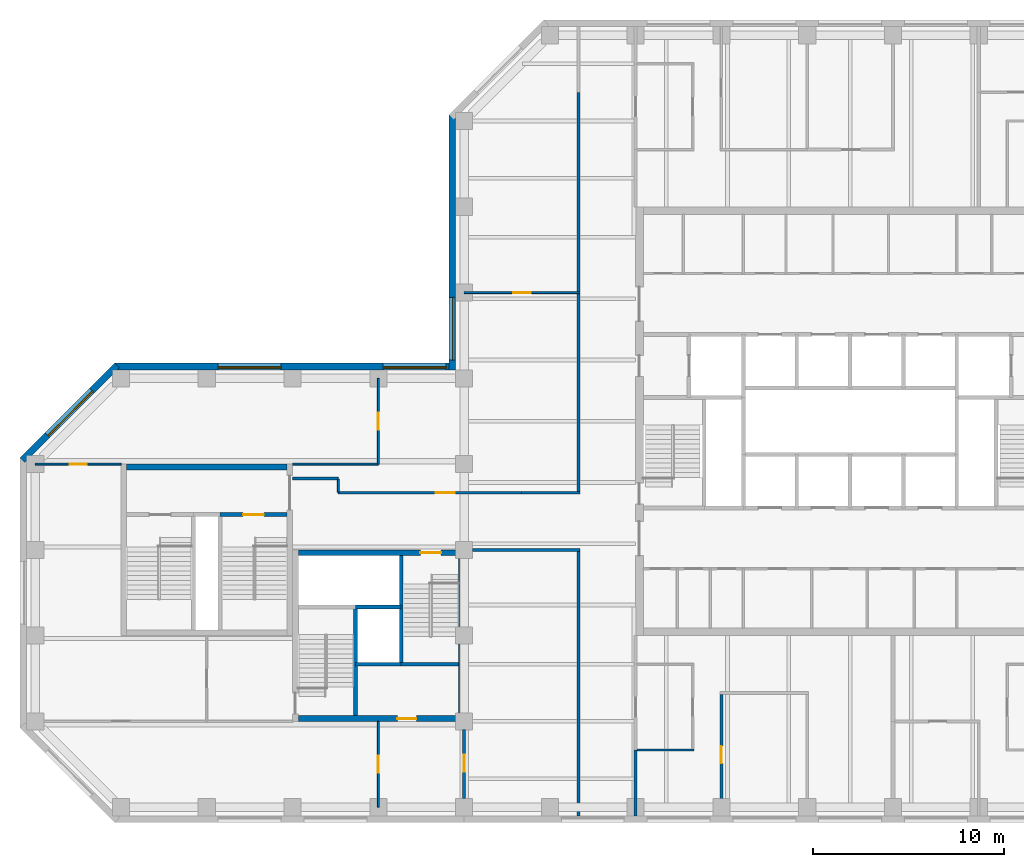
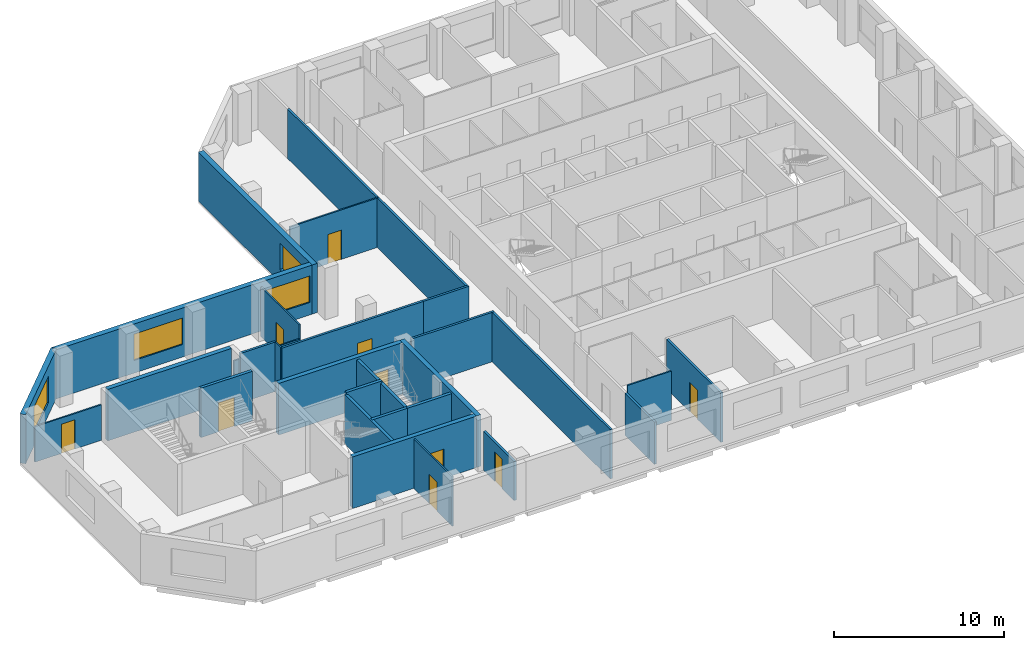
# One storey, part 3 of 9: 29 walls, 10 doors, 4 windows, 14 openings.
"""IFC4 building model written with IfcOpenShell, lengths in metres."""

from ifc_helpers import new_model, si_unit, direction, frame, frame_2d, origin, place, context, subcontext, project, spatial, rectangle, extrude, material, layer, layer_set, constituent, constituent_set, type_object, element, fill, save


model = new_model("IFC4")

# Units and contexts
model_context = context("Model", 3, precision=1e-05, world=origin(), true_north=direction((0.0, 1.0)))
body_context = subcontext(model_context, "Body", "Model", "MODEL_VIEW")
ifc_project = project(units=[si_unit("LENGTHUNIT", "METRE"), si_unit("AREAUNIT", "SQUARE_METRE"), si_unit("VOLUMEUNIT", "CUBIC_METRE"), si_unit("PLANEANGLEUNIT", "RADIAN"), si_unit("MASSUNIT", "GRAM", prefix="KILO")], contexts=[model_context])

# Site, building, storey
site_placement = place(None, origin())
site = spatial("IfcSite", under=ifc_project, at=site_placement, CompositionType="ELEMENT")
building_placement = place(site_placement, origin())
building = spatial("IfcBuilding", under=site, at=building_placement, Name="Quoin Convention Tower", CompositionType="ELEMENT")
storey_placement = place(building_placement, frame((0.0, 0.0, 166.199951171875)))
storey = spatial("IfcBuildingStorey", under=building, at=storey_placement, Name="L43", CompositionType="ELEMENT", Elevation=166.199951171875)

# Wall, opening, door
ifc_material_1 = material(Name="Plasterboard")
ifc_layer_1 = layer(ifc_material_1, 0.012451171875, Name="Finish")
ifc_material_2 = material(Name="Steel stud framing", Category="steel")
ifc_layer_2 = layer(ifc_material_2, 0.125, Name="Structure")
ifc_layer_3 = layer(ifc_material_1, 0.012451171875, Name="Finish")
ifc_layer_set_1 = layer_set([ifc_layer_1, ifc_layer_2, ifc_layer_3], Name="Steel stud framing")
wall_type_1 = type_object("IfcWallType", Name="Acoustic partition 150", PredefinedType="PARTITIONING", material=ifc_layer_set_1)
wall_1_placement = place(storey_placement, frame((49.5, 40.050048828125, 0.0), z_axis=(0.0, 0.0, 1.0), x_axis=(0.0, 1.0, 0.0)))
wall_1 = element("IfcWall", 1, at=wall_1_placement, inside=storey, type_object=wall_type_1, Name="pw-L43-039", PredefinedType="PARTITIONING", context=body_context, shape_type="SweptSolid", body=[
    extrude(rectangle(XDim=6.375, YDim=0.14990234375, at=frame_2d((3.1875, 0.0))), origin(), (0.0, 0.0, 1.0), 3.550048828125),
])
opening_1_placement = place(wall_1_placement, frame((2.75, 0.0, 0.0)))
opening_1 = element("IfcOpeningElement", 2, at=opening_1_placement, cuts=wall_1, Name="Opening DOH3-08", PredefinedType="OPENING", context=body_context, shape_type="SweptSolid", body=[
    extrude(rectangle(XDim=0.89990234375, YDim=2.10009765625, at=frame_2d((0.449951171875, 1.050048828125))), frame((0.0, 0.0849609375, 0.0), z_axis=(0.0, -1.0, 0.0), x_axis=(1.0, 0.0, 0.0)), (0.0, 0.0, 1.0), 0.169921875),
])
ifc_material_3 = material(Name="Steel door leaf", Category="steel")
door_type_1 = type_object("IfcDoorType", Name="Office door 900 x 2100", OperationType="SINGLE_SWING_RIGHT", PredefinedType="DOOR", material=ifc_material_3)
door_1_placement = place(opening_1_placement, origin())
door_1 = element("IfcDoor", 3, at=door_1_placement, inside=storey, type_object=door_type_1, Name="dr-L43-10", OperationType="SINGLE_SWING_RIGHT", OverallHeight=2.10009765625, OverallWidth=0.89990234375, PredefinedType="DOOR", context=body_context, shape_type="SweptSolid", body=[
    extrude(rectangle(XDim=0.89990234375, YDim=2.10009765625, at=frame_2d((0.449951171875, 1.050048828125))), frame((0.0, 0.02490234375, 0.0), z_axis=(0.0, -1.0, 0.0), x_axis=(1.0, 0.0, 0.0)), (0.0, 0.0, 1.0), 0.050048828125),
])
fill(opening_1, door_1)

# Wall, opening, window
ifc_material_4 = material(Name="Brick masonry", Category="masonry")
ifc_layer_4 = layer(ifc_material_4, 0.35009765625)
ifc_layer_set_2 = layer_set([ifc_layer_4], Name="Brick masonry")
wall_type_2 = type_object("IfcWallType", Name="Brick facade wall", PredefinedType="STANDARD", material=ifc_layer_set_2)
wall_2_placement = place(storey_placement, frame((35.375, 76.831298828125, 0.0), z_axis=(0.0, 0.0, 1.0), x_axis=(0.0, -1.0, 0.0)))
wall_2 = element("IfcWall", 4, at=wall_2_placement, inside=storey, type_object=wall_type_2, Name="fw-L43-36000_76500", PredefinedType="STANDARD", context=body_context, shape_type="SweptSolid", body=[
    extrude(rectangle(XDim=13.38134765625, YDim=0.35009765625, at=frame_2d((6.690673828125, 0.0))), origin(), (0.0, 0.0, 1.0), 3.525146484375),
])
opening_2_placement = place(wall_2_placement, frame((9.581298828125, 0.0, 0.89990234375)))
opening_2 = element("IfcOpeningElement", 5, at=opening_2_placement, cuts=wall_2, Name="Opening W-02", PredefinedType="OPENING", context=body_context, shape_type="SweptSolid", body=[
    extrude(rectangle(XDim=3.300048828125, YDim=1.89990234375, at=frame_2d((1.64990234375, 0.949951171875))), frame((0.0, 0.18505859375, 0.0), z_axis=(0.0, -1.0, 0.0), x_axis=(1.0, 0.0, 0.0)), (0.0, 0.0, 1.0), 0.3701171875),
])
ifc_material_5 = material(Name="Aluminium", Category="aluminium")
ifc_constituent_1 = constituent(ifc_material_5, Name="Frame")
ifc_material_6 = material(Name="Insulated glass", Category="glass")
ifc_constituent_2 = constituent(ifc_material_6, Name="Glazing")
ifc_constituent_set = constituent_set(constituents=[ifc_constituent_1, ifc_constituent_2], Name="Aluminium")
window_type = type_object("IfcWindowType", Name="Office window", PartitioningType="DOUBLE_PANEL_VERTICAL", PredefinedType="WINDOW", material=ifc_constituent_set)
window_1_placement = place(opening_2_placement, origin())
window_1 = element("IfcWindow", 6, at=window_1_placement, inside=storey, type_object=window_type, Name="win-L43-35375_65250", OverallHeight=1.89990234375, OverallWidth=3.300048828125, PartitioningType="SINGLE_PANEL", PredefinedType="WINDOW", context=body_context, shape_type="SweptSolid", body=[
    extrude(rectangle(XDim=3.300048828125, YDim=1.89990234375, at=frame_2d((1.64990234375, 0.949951171875))), frame((0.0, 0.0849609375, 0.0), z_axis=(0.0, -1.0, 0.0), x_axis=(1.0, 0.0, 0.0)), (0.0, 0.0, 1.0), 0.06005859375),
])
fill(opening_2, window_1)

# Wall, openings, windows
wall_3_placement = place(storey_placement, frame((35.550048828125, 63.625, 0.0), z_axis=(0.0, 0.0, 1.0), x_axis=(-1.0, 0.0, 0.0)))
wall_3 = element("IfcWall", 7, at=wall_3_placement, inside=storey, type_object=wall_type_2, Name="fw-L43-36000_63000", PredefinedType="STANDARD", context=body_context, shape_type="SweptSolid", body=[
    extrude(rectangle(XDim=17.88134765625, YDim=0.35009765625, at=frame_2d((8.940673828125, 0.0))), origin(), (0.0, 0.0, 1.0), 3.525146484375),
])
opening_3_placement = place(wall_3_placement, frame((0.5, 0.0, 0.89990234375)))
opening_3 = element("IfcOpeningElement", 8, at=opening_3_placement, cuts=wall_3, Name="Opening W-02", PredefinedType="OPENING", context=body_context, shape_type="SweptSolid", body=[
    extrude(rectangle(XDim=3.300048828125, YDim=1.89990234375, at=frame_2d((1.64990234375, 0.949951171875))), frame((0.0, 0.18505859375, 0.0), z_axis=(0.0, -1.0, 0.0), x_axis=(1.0, 0.0, 0.0)), (0.0, 0.0, 1.0), 0.3701171875),
])
opening_4_placement = place(wall_3_placement, frame((9.14990234375, 0.0, 0.89990234375)))
opening_4 = element("IfcOpeningElement", 9, at=opening_4_placement, cuts=wall_3, Name="Opening W-02", PredefinedType="OPENING", context=body_context, shape_type="SweptSolid", body=[
    extrude(rectangle(XDim=3.300048828125, YDim=1.89990234375, at=frame_2d((1.64990234375, 0.949951171875))), frame((0.0, 0.18505859375, 0.0), z_axis=(0.0, -1.0, 0.0), x_axis=(1.0, 0.0, 0.0)), (0.0, 0.0, 1.0), 0.3701171875),
])
window_2_placement = place(opening_3_placement, origin())
window_2 = element("IfcWindow", 10, at=window_2_placement, inside=storey, type_object=window_type, Name="win-L43-33750_63625", OverallHeight=1.89990234375, OverallWidth=3.300048828125, PartitioningType="SINGLE_PANEL", PredefinedType="WINDOW", context=body_context, shape_type="SweptSolid", body=[
    extrude(rectangle(XDim=3.300048828125, YDim=1.89990234375, at=frame_2d((1.64990234375, 0.949951171875))), frame((0.0, 0.0849609375, 0.0), z_axis=(0.0, -1.0, 0.0), x_axis=(1.0, 0.0, 0.0)), (0.0, 0.0, 1.0), 0.06005859375),
])
fill(opening_3, window_2)
window_3_placement = place(opening_4_placement, origin())
window_3 = element("IfcWindow", 11, at=window_3_placement, inside=storey, type_object=window_type, Name="win-L43-24750_63625", OverallHeight=1.89990234375, OverallWidth=3.300048828125, PartitioningType="SINGLE_PANEL", PredefinedType="WINDOW", context=body_context, shape_type="SweptSolid", body=[
    extrude(rectangle(XDim=3.300048828125, YDim=1.89990234375, at=frame_2d((1.64990234375, 0.949951171875))), frame((0.0, 0.0849609375, 0.0), z_axis=(0.0, -1.0, 0.0), x_axis=(1.0, 0.0, 0.0)), (0.0, 0.0, 1.0), 0.06005859375),
])
fill(opening_4, window_3)

# Wall, opening, window
wall_4_placement = place(storey_placement, frame((17.79248046875, 63.67626953125, 0.0), z_axis=(0.0, 0.0, 1.0), x_axis=(-0.707106781187, -0.707106781187, 0.0)))
wall_4 = element("IfcWall", 12, at=wall_4_placement, inside=storey, type_object=wall_type_2, Name="fw-L43-18000_63000", PredefinedType="STANDARD", context=body_context, shape_type="SweptSolid", body=[
    extrude(rectangle(XDim=7.02685546875, YDim=0.35009765625, at=frame_2d((3.513427734375, 0.0))), origin(), (0.0, 0.0, 1.0), 3.525146484375),
])
opening_5_placement = place(wall_4_placement, frame((1.86328125, 0.0, 0.89990234375)))
opening_5 = element("IfcOpeningElement", 13, at=opening_5_placement, cuts=wall_4, Name="Opening W-02", PredefinedType="OPENING", context=body_context, shape_type="SweptSolid", body=[
    extrude(rectangle(XDim=3.300048828125, YDim=1.89990234375, at=frame_2d((1.64990234375, 0.949951171875))), frame((0.0, 0.18505859375, 0.0), z_axis=(0.0, -1.0, 0.0), x_axis=(1.0, 0.0, 0.0)), (0.0, 0.0, 1.0), 0.3701171875),
])
window_4_placement = place(opening_5_placement, origin())
window_4 = element("IfcWindow", 14, at=window_4_placement, inside=storey, type_object=window_type, Name="win-L43-15308_61192", OverallHeight=1.89990234375, OverallWidth=3.300048828125, PartitioningType="SINGLE_PANEL", PredefinedType="WINDOW", context=body_context, shape_type="SweptSolid", body=[
    extrude(rectangle(XDim=3.300048828125, YDim=1.89990234375, at=frame_2d((1.64990234375, 0.949951171875))), frame((0.0, 0.0849609375, 0.0), z_axis=(0.0, -1.0, 0.0), x_axis=(1.0, 0.0, 0.0)), (0.0, 0.0, 1.0), 0.06005859375),
])
fill(opening_5, window_4)

# Walls
ifc_material_7 = material(Name="Concrete C50", Category="concrete")
ifc_layer_5 = layer(ifc_material_7, 0.199951171875)
ifc_layer_set_3 = layer_set([ifc_layer_5], Name="Concrete C50")
wall_type_3 = type_object("IfcWallType", Name="Core shaft wall", PredefinedType="SOLIDWALL", material=ifc_layer_set_3)
wall_5_placement = place(storey_placement, frame((30.300048828125, 48.0, 0.0), z_axis=(0.0, 0.0, 1.0), x_axis=(1.0, 0.0, 0.0)))
element("IfcWall", 15, at=wall_5_placement, inside=storey, type_object=wall_type_3, Name="cr-P2-L43-h3000_3300", PredefinedType="SOLIDWALL", context=body_context, shape_type="SweptSolid", body=[
    extrude(rectangle(XDim=2.39990234375, YDim=0.199951171875, at=frame_2d((1.199951171875, 0.0))), origin(), (0.0, 0.0, 1.0), 3.550048828125),
])
wall_6_placement = place(storey_placement, frame((32.699951171875, 48.0, 0.0), z_axis=(0.0, 0.0, 1.0), x_axis=(1.0, 0.0, 0.0)))
element("IfcWall", 16, at=wall_6_placement, inside=storey, type_object=wall_type_3, Name="cr-P2-L43-h3000_5700", PredefinedType="SOLIDWALL", context=body_context, shape_type="SweptSolid", body=[
    extrude(rectangle(XDim=3.0, YDim=0.199951171875, at=frame_2d((1.5, 0.0))), origin(), (0.0, 0.0, 1.0), 3.550048828125),
])
for number, where, z_axis, x_axis, name in (
    (17, (30.300048828125, 45.300048828125, 0.0), (0.0, 0.0, 1.0), (0.0, 1.0, 0.0), "cr-P2-L43-v3300_300"),
    (18, (32.699951171875, 48.0, 0.0), (0.0, 0.0, 1.0), (0.0, 1.0, 0.0), "cr-P2-L43-v5700_3000"),
):
    element("IfcWall", number, at=place(storey_placement, frame(where, z_axis=z_axis, x_axis=x_axis)), inside=storey, type_object=wall_type_3, Name=name, PredefinedType="SOLIDWALL", context=body_context, shape_type="SweptSolid", body=[
        extrude(rectangle(XDim=5.699951171875, YDim=0.199951171875, at=frame_2d((2.85009765625, 0.0))), origin(), (0.0, 0.0, 1.0), 3.550048828125),
    ])

# Wall, opening, door
wall_7_placement = place(storey_placement, frame((23.199951171875, 55.85009765625, 0.0), z_axis=(0.0, 0.0, 1.0), x_axis=(1.0, 0.0, 0.0)))
wall_7 = element("IfcWall", 19, at=wall_7_placement, inside=storey, type_object=wall_type_3, Name="cr-P6-L43-h6350_5200", PredefinedType="SOLIDWALL", context=body_context, shape_type="SweptSolid", body=[
    extrude(rectangle(XDim=3.5, YDim=0.199951171875, at=frame_2d((1.75, 0.0))), origin(), (0.0, 0.0, 1.0), 3.550048828125),
])
opening_6_placement = place(wall_7_placement, frame((1.199951171875, 0.0, 0.0)))
opening_6 = element("IfcOpeningElement", 20, at=opening_6_placement, cuts=wall_7, Name="Opening SD12", PredefinedType="OPENING", context=body_context, shape_type="SweptSolid", body=[
    extrude(rectangle(XDim=1.10009765625, YDim=2.10009765625, at=frame_2d((0.550048828125, 1.050048828125))), frame((0.0, 0.10986328125, 0.0), z_axis=(0.0, -1.0, 0.0), x_axis=(1.0, 0.0, 0.0)), (0.0, 0.0, 1.0), 0.219970703125),
])
door_type_2 = type_object("IfcDoorType", Name="Stair door 1100 x 2100", OperationType="SINGLE_SWING_RIGHT", PredefinedType="DOOR", material=ifc_material_3)
door_2_placement = place(opening_6_placement, origin())
door_2 = element("IfcDoor", 21, at=door_2_placement, inside=storey, type_object=door_type_2, Name="cd-P6-L43-SB-R2-SD12", OperationType="SINGLE_SWING_RIGHT", OverallHeight=2.10009765625, OverallWidth=1.10009765625, PredefinedType="DOOR", context=body_context, shape_type="SweptSolid", body=[
    extrude(rectangle(XDim=1.10009765625, YDim=2.10009765625, at=frame_2d((0.550048828125, 1.050048828125))), frame((0.0, 0.02490234375, 0.0), z_axis=(0.0, -1.0, 0.0), x_axis=(1.0, 0.0, 0.0)), (0.0, 0.0, 1.0), 0.050048828125),
])
fill(opening_6, door_2)

# Walls
ifc_layer_6 = layer(ifc_material_7, 0.199951171875)
ifc_layer_set_4 = layer_set([ifc_layer_6], Name="Concrete C50")
wall_type_4 = type_object("IfcWallType", Name="Core shaft wall to the floor level over", PredefinedType="SOLIDWALL", material=ifc_layer_set_4)
wall_8_placement = place(storey_placement, frame((30.300048828125, 51.0, 0.0), z_axis=(0.0, 0.0, 1.0), x_axis=(1.0, 0.0, 0.0)))
element("IfcWall", 22, at=wall_8_placement, inside=storey, type_object=wall_type_4, Name="cr-P2-L43-h6000_3300", PredefinedType="SOLIDWALL", context=body_context, shape_type="SweptSolid", body=[
    extrude(rectangle(XDim=2.39990234375, YDim=0.199951171875, at=frame_2d((1.199951171875, 0.0))), origin(), (0.0, 0.0, 1.0), 3.699951171875),
])
ifc_layer_7 = layer(ifc_material_1, 0.012451171875, Name="Finish")
ifc_layer_8 = layer(ifc_material_2, 0.125, Name="Structure")
ifc_layer_9 = layer(ifc_material_1, 0.012451171875, Name="Finish")
ifc_layer_set_5 = layer_set([ifc_layer_7, ifc_layer_8, ifc_layer_9], Name="Steel stud framing")
wall_type_5 = type_object("IfcWallType", Name="Corridor wall 150", PredefinedType="PARTITIONING", material=ifc_layer_set_5)
wall_9_placement = place(storey_placement, frame((36.449951171875, 54.0, 0.0), z_axis=(0.0, 0.0, 1.0), x_axis=(1.0, 0.0, 0.0)))
element("IfcWall", 23, at=wall_9_placement, inside=storey, type_object=wall_type_5, Name="pw-L43-017", PredefinedType="PARTITIONING", context=body_context, shape_type="SweptSolid", body=[
    extrude(rectangle(XDim=5.625, YDim=0.14990234375, at=frame_2d((2.8125, 0.0))), origin(), (0.0, 0.0, 1.0), 3.550048828125),
])

# Wall, opening, door
wall_10_placement = place(storey_placement, frame((29.3798828125, 57.0, 0.0), z_axis=(0.0, 0.0, 1.0), x_axis=(1.0, 0.0, 0.0)))
wall_10 = element("IfcWall", 24, at=wall_10_placement, inside=storey, type_object=wall_type_5, Name="pw-L43-019", PredefinedType="PARTITIONING", context=body_context, shape_type="SweptSolid", body=[
    extrude(rectangle(XDim=9.6201171875, YDim=0.14990234375, at=frame_2d((4.81005859375, 0.0))), origin(), (0.0, 0.0, 1.0), 3.550048828125),
])
opening_7_placement = place(wall_10_placement, frame((5.1298828125, 0.0, 0.0)))
opening_7 = element("IfcOpeningElement", 25, at=opening_7_placement, cuts=wall_10, Name="Opening DOH3-03", PredefinedType="OPENING", context=body_context, shape_type="SweptSolid", body=[
    extrude(rectangle(XDim=1.0, YDim=2.10009765625, at=frame_2d((0.5, 1.050048828125))), frame((0.0, 0.0849609375, 0.0), z_axis=(0.0, -1.0, 0.0), x_axis=(1.0, 0.0, 0.0)), (0.0, 0.0, 1.0), 0.169921875),
])
door_type_3 = type_object("IfcDoorType", Name="Tenancy entrance door 1000 x 2100", OperationType="DOUBLE_DOOR_SINGLE_SWING", PredefinedType="DOOR", material=ifc_material_3)
door_3_placement = place(opening_7_placement, origin())
door_3 = element("IfcDoor", 26, at=door_3_placement, inside=storey, type_object=door_type_3, Name="dr-L43-w01", OperationType="DOUBLE_DOOR_SINGLE_SWING", OverallHeight=2.10009765625, OverallWidth=1.0, PredefinedType="DOOR", context=body_context, shape_type="SweptSolid", body=[
    extrude(rectangle(XDim=1.0, YDim=2.10009765625, at=frame_2d((0.5, 1.050048828125))), frame((0.0, 0.02490234375, 0.0), z_axis=(0.0, -1.0, 0.0), x_axis=(1.0, 0.0, 0.0)), (0.0, 0.0, 1.0), 0.050048828125),
])
fill(opening_7, door_3)

# Walls
wall_11_placement = place(storey_placement, frame((39.0, 57.0, 0.0), z_axis=(0.0, 0.0, 1.0), x_axis=(1.0, 0.0, 0.0)))
element("IfcWall", 27, at=wall_11_placement, inside=storey, type_object=wall_type_5, Name="pw-L43-020", PredefinedType="PARTITIONING", context=body_context, shape_type="SweptSolid", body=[
    extrude(rectangle(XDim=3.074951171875, YDim=0.14990234375, at=frame_2d((1.53759765625, 0.0))), origin(), (0.0, 0.0, 1.0), 3.550048828125),
])
wall_12_placement = place(storey_placement, frame((42.0, 40.050048828125, 0.0), z_axis=(0.0, 0.0, 1.0), x_axis=(0.0, 1.0, 0.0)))
element("IfcWall", 28, at=wall_12_placement, inside=storey, type_object=wall_type_5, Name="pw-L43-037", PredefinedType="PARTITIONING", context=body_context, shape_type="SweptSolid", body=[
    extrude(rectangle(XDim=13.875, YDim=0.14990234375, at=frame_2d((6.9375, 0.0))), origin(), (0.0, 0.0, 1.0), 3.550048828125),
])
wall_13_placement = place(storey_placement, frame((42.0, 57.074951171875, 0.0), z_axis=(0.0, 0.0, 1.0), x_axis=(0.0, 1.0, 0.0)))
element("IfcWall", 29, at=wall_13_placement, inside=storey, type_object=wall_type_5, Name="pw-L43-068", PredefinedType="PARTITIONING", context=body_context, shape_type="SweptSolid", body=[
    extrude(rectangle(XDim=20.925048828125, YDim=0.14990234375, at=frame_2d((10.46240234375, 0.0))), origin(), (0.0, 0.0, 1.0), 3.550048828125),
])
wall_14_placement = place(storey_placement, frame((27.0, 57.75, 0.0), z_axis=(0.0, 0.0, 1.0), x_axis=(1.0, 0.0, 0.0)))
element("IfcWall", 30, at=wall_14_placement, inside=storey, type_object=wall_type_5, Name="pw-L43-w09", PredefinedType="PARTITIONING", context=body_context, shape_type="SweptSolid", body=[
    extrude(rectangle(XDim=2.39990234375, YDim=0.14990234375, at=frame_2d((1.199951171875, 0.0))), origin(), (0.0, 0.0, 1.0), 3.550048828125),
])
ifc_layer_10 = layer(ifc_material_1, 0.012451171875, Name="Finish")
ifc_layer_11 = layer(ifc_material_2, 0.125, Name="Structure")
ifc_layer_12 = layer(ifc_material_1, 0.012451171875, Name="Finish")
ifc_layer_set_6 = layer_set([ifc_layer_10, ifc_layer_11, ifc_layer_12], Name="Steel stud framing")
wall_type_6 = type_object("IfcWallType", Name="Corridor wall 150 under beam 528", PredefinedType="PARTITIONING", material=ifc_layer_set_6)
wall_15_placement = place(storey_placement, frame((45.0, 40.050048828125, 0.0), z_axis=(0.0, 0.0, 1.0), x_axis=(0.0, 1.0, 0.0)))
element("IfcWall", 31, at=wall_15_placement, inside=storey, type_object=wall_type_6, Name="pw-L43-038", PredefinedType="PARTITIONING", context=body_context, shape_type="SweptSolid", body=[
    extrude(rectangle(XDim=3.449951171875, YDim=0.14990234375, at=frame_2d((1.72509765625, 0.0))), origin(), (0.0, 0.0, 1.0), 3.02197265625),
])

# Wall, opening, door
ifc_layer_13 = layer(ifc_material_1, 0.012451171875, Name="Finish")
ifc_layer_14 = layer(ifc_material_2, 0.125, Name="Structure")
ifc_layer_15 = layer(ifc_material_1, 0.012451171875, Name="Finish")
ifc_layer_set_7 = layer_set([ifc_layer_13, ifc_layer_14, ifc_layer_15], Name="Steel stud framing")
wall_type_7 = type_object("IfcWallType", Name="Corridor wall 150 under beam 750", PredefinedType="PARTITIONING", material=ifc_layer_set_7)
wall_16_placement = place(storey_placement, frame((36.0, 40.949951171875, 0.0), z_axis=(0.0, 0.0, 1.0), x_axis=(0.0, 1.0, 0.0)))
wall_16 = element("IfcWall", 32, at=wall_16_placement, inside=storey, type_object=wall_type_7, Name="pw-L43-045", PredefinedType="PARTITIONING", context=body_context, shape_type="SweptSolid", body=[
    extrude(rectangle(XDim=3.630126953125, YDim=0.14990234375, at=frame_2d((1.81494140625, 0.0))), origin(), (0.0, 0.0, 1.0), 2.800048828125),
])
opening_8_placement = place(wall_16_placement, frame((1.39990234375, 0.0, 0.0)))
opening_8 = element("IfcOpeningElement", 33, at=opening_8_placement, cuts=wall_16, Name="Opening DOH3-10", PredefinedType="OPENING", context=body_context, shape_type="SweptSolid", body=[
    extrude(rectangle(XDim=0.89990234375, YDim=2.10009765625, at=frame_2d((0.449951171875, 1.050048828125))), frame((0.0, 0.0849609375, 0.0), z_axis=(0.0, -1.0, 0.0), x_axis=(1.0, 0.0, 0.0)), (0.0, 0.0, 1.0), 0.169921875),
])
door_4_placement = place(opening_8_placement, frame((0.89990234375, 0.0, 0.0), z_axis=(0.0, 0.0, 1.0), x_axis=(-1.0, 0.0, 0.0)))
door_4 = element("IfcDoor", 34, at=door_4_placement, inside=storey, type_object=door_type_1, Name="dr-L43-01", OperationType="SINGLE_SWING_LEFT", OverallHeight=2.10009765625, OverallWidth=0.89990234375, PredefinedType="DOOR", context=body_context, shape_type="SweptSolid", body=[
    extrude(rectangle(XDim=0.89990234375, YDim=2.10009765625, at=frame_2d((0.449951171875, 1.050048828125))), frame((0.0, 0.02490234375, 0.0), z_axis=(0.0, -1.0, 0.0), x_axis=(1.0, 0.0, 0.0)), (0.0, 0.0, 1.0), 0.050048828125),
])
fill(opening_8, door_4)

ifc_layer_16 = layer(ifc_material_7, 0.300048828125)
ifc_layer_set_8 = layer_set([ifc_layer_16], Name="Concrete C50")
wall_type_8 = type_object("IfcWallType", Name="RC CORE WALL 300 C50", PredefinedType="SHEAR", material=ifc_layer_set_8)
wall_17_placement = place(storey_placement, frame((27.300048828125, 45.14990234375, 0.0), z_axis=(0.0, 0.0, 1.0), x_axis=(1.0, 0.0, 0.0)))
wall_17 = element("IfcWall", 35, at=wall_17_placement, inside=storey, type_object=wall_type_8, Name="cwl-P2-L43-S", PredefinedType="SHEAR", context=body_context, shape_type="SweptSolid", body=[
    extrude(rectangle(XDim=8.39990234375, YDim=0.300048828125, at=frame_2d((4.199951171875, 0.0))), origin(), (0.0, 0.0, 1.0), 3.699951171875),
])
opening_9_placement = place(wall_17_placement, frame((5.199951171875, 0.0, 0.0)))
opening_9 = element("IfcOpeningElement", 36, at=opening_9_placement, cuts=wall_17, Name="Opening DCV3-41", PredefinedType="OPENING", context=body_context, shape_type="SweptSolid", body=[
    extrude(rectangle(XDim=1.0, YDim=2.10009765625, at=frame_2d((0.5, 1.050048828125))), frame((0.0, 0.159912109375, 0.0), z_axis=(0.0, -1.0, 0.0), x_axis=(1.0, 0.0, 0.0)), (0.0, 0.0, 1.0), 0.320068359375),
])
door_type_4 = type_object("IfcDoorType", Name="Service door 1000 x 2100", OperationType="SINGLE_SWING_LEFT", PredefinedType="DOOR", material=ifc_material_3)
door_5_placement = place(opening_9_placement, frame((1.0, 0.0, 0.0), z_axis=(0.0, 0.0, 1.0), x_axis=(-1.0, 0.0, 0.0)))
door_5 = element("IfcDoor", 37, at=door_5_placement, inside=storey, type_object=door_type_4, Name="cd-P2-L43-R2-S", OperationType="SINGLE_SWING_RIGHT", OverallHeight=2.10009765625, OverallWidth=1.0, PredefinedType="DOOR", context=body_context, shape_type="SweptSolid", body=[
    extrude(rectangle(XDim=1.0, YDim=2.10009765625, at=frame_2d((0.5, 1.050048828125))), frame((0.0, 0.02490234375, 0.0), z_axis=(0.0, -1.0, 0.0), x_axis=(1.0, 0.0, 0.0)), (0.0, 0.0, 1.0), 0.050048828125),
])
fill(opening_9, door_5)

wall_18_placement = place(storey_placement, frame((27.300048828125, 53.85009765625, 0.0), z_axis=(0.0, 0.0, 1.0), x_axis=(1.0, 0.0, 0.0)))
wall_18 = element("IfcWall", 38, at=wall_18_placement, inside=storey, type_object=wall_type_8, Name="cwl-P2-L43-N", PredefinedType="SHEAR", context=body_context, shape_type="SweptSolid", body=[
    extrude(rectangle(XDim=8.39990234375, YDim=0.300048828125, at=frame_2d((4.199951171875, 0.0))), origin(), (0.0, 0.0, 1.0), 3.699951171875),
])
opening_10_placement = place(wall_18_placement, frame((6.39990234375, 0.0, 0.0)))
opening_10 = element("IfcOpeningElement", 39, at=opening_10_placement, cuts=wall_18, Name="Opening SD4", PredefinedType="OPENING", context=body_context, shape_type="SweptSolid", body=[
    extrude(rectangle(XDim=1.10009765625, YDim=2.10009765625, at=frame_2d((0.550048828125, 1.050048828125))), frame((0.0, 0.159912109375, 0.0), z_axis=(0.0, -1.0, 0.0), x_axis=(1.0, 0.0, 0.0)), (0.0, 0.0, 1.0), 0.320068359375),
])
door_6_placement = place(opening_10_placement, frame((1.10009765625, 0.0, 0.0), z_axis=(0.0, 0.0, 1.0), x_axis=(-1.0, 0.0, 0.0)))
door_6 = element("IfcDoor", 40, at=door_6_placement, inside=storey, type_object=door_type_2, Name="cd-P2-L43-SB-N", OperationType="SINGLE_SWING_LEFT", OverallHeight=2.10009765625, OverallWidth=1.10009765625, PredefinedType="DOOR", context=body_context, shape_type="SweptSolid", body=[
    extrude(rectangle(XDim=1.10009765625, YDim=2.10009765625, at=frame_2d((0.550048828125, 1.050048828125))), frame((0.0, 0.02490234375, 0.0), z_axis=(0.0, -1.0, 0.0), x_axis=(1.0, 0.0, 0.0)), (0.0, 0.0, 1.0), 0.050048828125),
])
fill(opening_10, door_6)

# Walls
wall_19_placement = place(storey_placement, frame((35.85009765625, 45.0, 0.0), z_axis=(0.0, 0.0, 1.0), x_axis=(0.0, 1.0, 0.0)))
element("IfcWall", 41, at=wall_19_placement, inside=storey, type_object=wall_type_8, Name="cwl-P2-L43-E", PredefinedType="SHEAR", context=body_context, shape_type="SweptSolid", body=[
    extrude(rectangle(XDim=9.0, YDim=0.300048828125, at=frame_2d((4.5, 0.0))), origin(), (0.0, 0.0, 1.0), 3.699951171875),
])
wall_20_placement = place(storey_placement, frame((18.300048828125, 58.35009765625, 0.0), z_axis=(0.0, 0.0, 1.0), x_axis=(1.0, 0.0, 0.0)))
element("IfcWall", 42, at=wall_20_placement, inside=storey, type_object=wall_type_8, Name="cwl-P6-L43-N", PredefinedType="SHEAR", context=body_context, shape_type="SweptSolid", body=[
    extrude(rectangle(XDim=8.39990234375, YDim=0.300048828125, at=frame_2d((4.199951171875, 0.0))), origin(), (0.0, 0.0, 1.0), 3.699951171875),
])
ifc_layer_17 = layer(ifc_material_1, 0.012451171875, Name="Finish")
ifc_layer_18 = layer(ifc_material_2, 0.074951171875, Name="Structure")
ifc_layer_19 = layer(ifc_material_1, 0.012451171875, Name="Finish")
ifc_layer_set_9 = layer_set([ifc_layer_17, ifc_layer_18, ifc_layer_19], Name="Steel stud framing")
wall_type_9 = type_object("IfcWallType", Name="Stud partition 100", PredefinedType="PARTITIONING", material=ifc_layer_set_9)
wall_21_placement = place(storey_placement, frame((45.074951171875, 43.5, 0.0), z_axis=(0.0, 0.0, 1.0), x_axis=(1.0, 0.0, 0.0)))
element("IfcWall", 43, at=wall_21_placement, inside=storey, type_object=wall_type_9, Name="pw-L43-001", PredefinedType="PARTITIONING", context=body_context, shape_type="SweptSolid", body=[
    extrude(rectangle(XDim=2.97509765625, YDim=0.10009765625, at=frame_2d((1.487548828125, 0.0))), origin(), (0.0, 0.0, 1.0), 3.550048828125),
])

# Wall, opening, door
wall_22_placement = place(storey_placement, frame((36.0, 67.5, 0.0), z_axis=(0.0, 0.0, 1.0), x_axis=(1.0, 0.0, 0.0)))
wall_22 = element("IfcWall", 44, at=wall_22_placement, inside=storey, type_object=wall_type_9, Name="pw-L43-w01", PredefinedType="PARTITIONING", context=body_context, shape_type="SweptSolid", body=[
    extrude(rectangle(XDim=6.074951171875, YDim=0.10009765625, at=frame_2d((3.03759765625, 0.0))), origin(), (0.0, 0.0, 1.0), 3.550048828125),
])
opening_11_placement = place(wall_22_placement, frame((2.587890625, 0.0, 0.0)))
opening_11 = element("IfcOpeningElement", 45, at=opening_11_placement, cuts=wall_22, Name="Opening DOH3-24", PredefinedType="OPENING", context=body_context, shape_type="SweptSolid", body=[
    extrude(rectangle(XDim=0.89990234375, YDim=2.10009765625, at=frame_2d((0.449951171875, 1.050048828125))), frame((0.0, 0.06005859375, 0.0), z_axis=(0.0, -1.0, 0.0), x_axis=(1.0, 0.0, 0.0)), (0.0, 0.0, 1.0), 0.1201171875),
])
door_7_placement = place(opening_11_placement, frame((0.89990234375, 0.0, 0.0), z_axis=(0.0, 0.0, 1.0), x_axis=(-1.0, 0.0, 0.0)))
door_7 = element("IfcDoor", 46, at=door_7_placement, inside=storey, type_object=door_type_1, Name="dr-L43-w03", OperationType="SINGLE_SWING_LEFT", OverallHeight=2.10009765625, OverallWidth=0.89990234375, PredefinedType="DOOR", context=body_context, shape_type="SweptSolid", body=[
    extrude(rectangle(XDim=0.89990234375, YDim=2.10009765625, at=frame_2d((0.449951171875, 1.050048828125))), frame((0.0, 0.02490234375, 0.0), z_axis=(0.0, -1.0, 0.0), x_axis=(1.0, 0.0, 0.0)), (0.0, 0.0, 1.0), 0.050048828125),
])
fill(opening_11, door_7)

wall_23_placement = place(storey_placement, frame((31.5, 63.0, 0.0), z_axis=(0.0, 0.0, 1.0), x_axis=(0.0, -1.0, 0.0)))
wall_23 = element("IfcWall", 47, at=wall_23_placement, inside=storey, type_object=wall_type_9, Name="pw-L43-w02", PredefinedType="PARTITIONING", context=body_context, shape_type="SweptSolid", body=[
    extrude(rectangle(XDim=4.5, YDim=0.10009765625, at=frame_2d((2.25, 0.0))), origin(), (0.0, 0.0, 1.0), 3.550048828125),
])
opening_12_placement = place(wall_23_placement, frame((1.800048828125, 0.0, 0.0)))
opening_12 = element("IfcOpeningElement", 48, at=opening_12_placement, cuts=wall_23, Name="Opening DOH3-25", PredefinedType="OPENING", context=body_context, shape_type="SweptSolid", body=[
    extrude(rectangle(XDim=0.89990234375, YDim=2.10009765625, at=frame_2d((0.449951171875, 1.050048828125))), frame((0.0, 0.06005859375, 0.0), z_axis=(0.0, -1.0, 0.0), x_axis=(1.0, 0.0, 0.0)), (0.0, 0.0, 1.0), 0.1201171875),
])
door_8_placement = place(opening_12_placement, origin())
door_8 = element("IfcDoor", 49, at=door_8_placement, inside=storey, type_object=door_type_1, Name="dr-L43-w02", OperationType="SINGLE_SWING_LEFT", OverallHeight=2.10009765625, OverallWidth=0.89990234375, PredefinedType="DOOR", context=body_context, shape_type="SweptSolid", body=[
    extrude(rectangle(XDim=0.89990234375, YDim=2.10009765625, at=frame_2d((0.449951171875, 1.050048828125))), frame((0.0, 0.02490234375, 0.0), z_axis=(0.0, -1.0, 0.0), x_axis=(1.0, 0.0, 0.0)), (0.0, 0.0, 1.0), 0.050048828125),
])
fill(opening_12, door_8)

wall_24_placement = place(storey_placement, frame((31.5, 45.0, 0.0), z_axis=(0.0, 0.0, 1.0), x_axis=(0.0, -1.0, 0.0)))
wall_24 = element("IfcWall", 50, at=wall_24_placement, inside=storey, type_object=wall_type_9, Name="pw-L43-w08", PredefinedType="PARTITIONING", context=body_context, shape_type="SweptSolid", body=[
    extrude(rectangle(XDim=4.5, YDim=0.10009765625, at=frame_2d((2.25, 0.0))), origin(), (0.0, 0.0, 1.0), 3.550048828125),
])
opening_13_placement = place(wall_24_placement, frame((1.800048828125, 0.0, 0.0)))
opening_13 = element("IfcOpeningElement", 51, at=opening_13_placement, cuts=wall_24, Name="Opening DOH3-29", PredefinedType="OPENING", context=body_context, shape_type="SweptSolid", body=[
    extrude(rectangle(XDim=0.89990234375, YDim=2.10009765625, at=frame_2d((0.449951171875, 1.050048828125))), frame((0.0, 0.06005859375, 0.0), z_axis=(0.0, -1.0, 0.0), x_axis=(1.0, 0.0, 0.0)), (0.0, 0.0, 1.0), 0.1201171875),
])
door_9_placement = place(opening_13_placement, frame((0.89990234375, 0.0, 0.0), z_axis=(0.0, 0.0, 1.0), x_axis=(-1.0, 0.0, 0.0)))
door_9 = element("IfcDoor", 52, at=door_9_placement, inside=storey, type_object=door_type_1, Name="dr-L43-w07", OperationType="SINGLE_SWING_RIGHT", OverallHeight=2.10009765625, OverallWidth=0.89990234375, PredefinedType="DOOR", context=body_context, shape_type="SweptSolid", body=[
    extrude(rectangle(XDim=0.89990234375, YDim=2.10009765625, at=frame_2d((0.449951171875, 1.050048828125))), frame((0.0, 0.02490234375, 0.0), z_axis=(0.0, -1.0, 0.0), x_axis=(1.0, 0.0, 0.0)), (0.0, 0.0, 1.0), 0.050048828125),
])
fill(opening_13, door_9)

# Walls
wall_25_placement = place(storey_placement, frame((29.39990234375, 57.715087890625, 0.0), z_axis=(0.0, 0.0, 1.0), x_axis=(0.0, -1.0, 0.0)))
element("IfcWall", 53, at=wall_25_placement, inside=storey, type_object=wall_type_9, Name="pw-L43-w10", PredefinedType="PARTITIONING", context=body_context, shape_type="SweptSolid", body=[
    extrude(rectangle(XDim=0.68017578125, YDim=0.10009765625, at=frame_2d((0.340087890625, 0.0))), origin(), (0.0, 0.0, 1.0), 3.550048828125),
])
ifc_layer_20 = layer(ifc_material_1, 0.012451171875, Name="Finish")
ifc_layer_21 = layer(ifc_material_2, 0.074951171875, Name="Structure")
ifc_layer_22 = layer(ifc_material_1, 0.012451171875, Name="Finish")
ifc_layer_set_10 = layer_set([ifc_layer_20, ifc_layer_21, ifc_layer_22], Name="Steel stud framing")
wall_type_10 = type_object("IfcWallType", Name="Stud partition 100 under beam 1000", PredefinedType="PARTITIONING", material=ifc_layer_set_10)
wall_26_placement = place(storey_placement, frame((31.5, 58.5, 0.0), z_axis=(0.0, 0.0, 1.0), x_axis=(-1.0, 0.0, 0.0)))
element("IfcWall", 54, at=wall_26_placement, inside=storey, type_object=wall_type_10, Name="pw-L43-w03", PredefinedType="PARTITIONING", context=body_context, shape_type="SweptSolid", body=[
    extrude(rectangle(XDim=4.5, YDim=0.10009765625, at=frame_2d((2.25, 0.0))), origin(), (0.0, 0.0, 1.0), 2.550048828125),
])

# Wall, opening, door
wall_27_placement = place(storey_placement, frame((13.5, 58.5, 0.0), z_axis=(0.0, 0.0, 1.0), x_axis=(1.0, 0.0, 0.0)))
wall_27 = element("IfcWall", 55, at=wall_27_placement, inside=storey, type_object=wall_type_10, Name="pw-L43-w04", PredefinedType="PARTITIONING", context=body_context, shape_type="SweptSolid", body=[
    extrude(rectangle(XDim=4.5, YDim=0.10009765625, at=frame_2d((2.25, 0.0))), origin(), (0.0, 0.0, 1.0), 2.550048828125),
])
opening_14_placement = place(wall_27_placement, frame((1.800048828125, 0.0, 0.0)))
opening_14 = element("IfcOpeningElement", 56, at=opening_14_placement, cuts=wall_27, Name="Opening DOH3-26", PredefinedType="OPENING", context=body_context, shape_type="SweptSolid", body=[
    extrude(rectangle(XDim=0.89990234375, YDim=2.10009765625, at=frame_2d((0.449951171875, 1.050048828125))), frame((0.0, 0.06005859375, 0.0), z_axis=(0.0, -1.0, 0.0), x_axis=(1.0, 0.0, 0.0)), (0.0, 0.0, 1.0), 0.1201171875),
])
door_10_placement = place(opening_14_placement, frame((0.89990234375, 0.0, 0.0), z_axis=(0.0, 0.0, 1.0), x_axis=(-1.0, 0.0, 0.0)))
door_10 = element("IfcDoor", 57, at=door_10_placement, inside=storey, type_object=door_type_1, Name="dr-L43-w04", OperationType="SINGLE_SWING_LEFT", OverallHeight=2.10009765625, OverallWidth=0.89990234375, PredefinedType="DOOR", context=body_context, shape_type="SweptSolid", body=[
    extrude(rectangle(XDim=0.89990234375, YDim=2.10009765625, at=frame_2d((0.449951171875, 1.050048828125))), frame((0.0, 0.02490234375, 0.0), z_axis=(0.0, -1.0, 0.0), x_axis=(1.0, 0.0, 0.0)), (0.0, 0.0, 1.0), 0.050048828125),
])
fill(opening_14, door_10)

save(model, "model.ifc")
